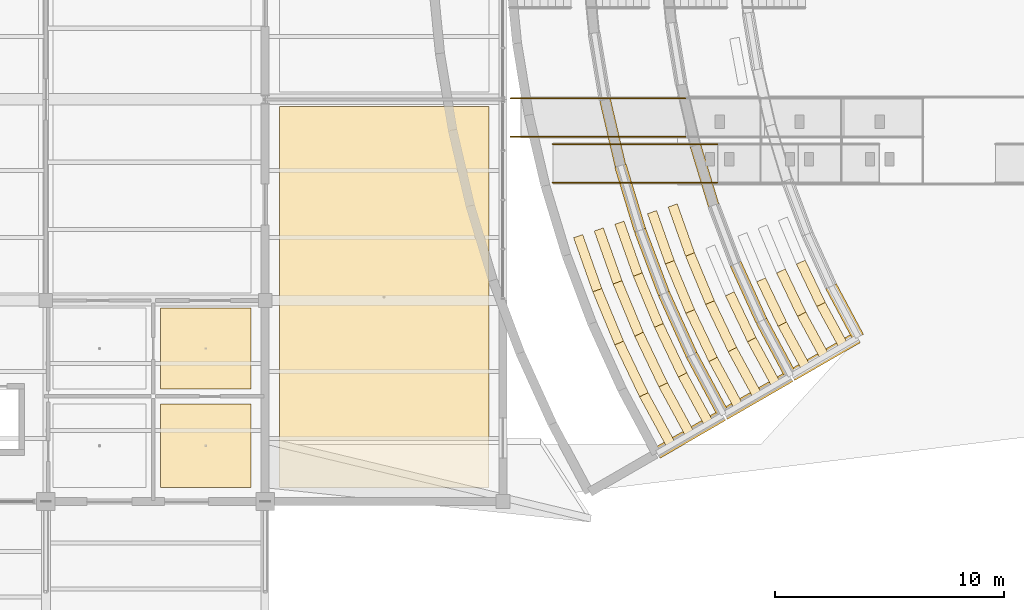
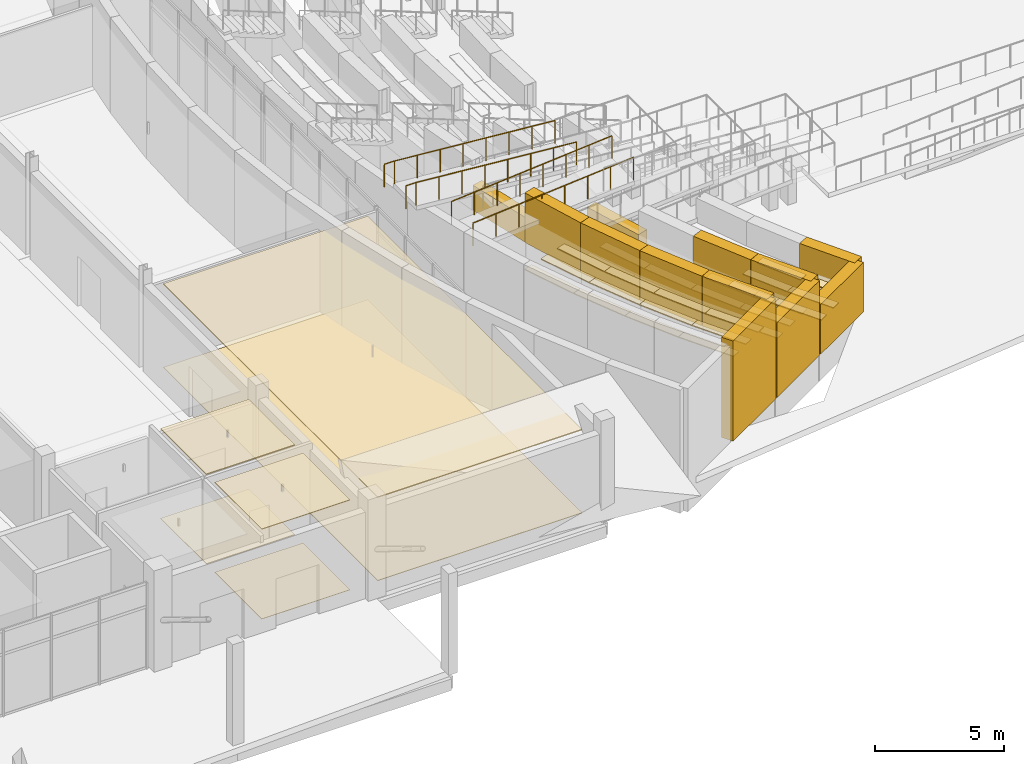
# One storey, part 110 of 116: 46 coverings, 4 railings, 1 element without a shape of its own.
"""IFC4 building model written with IfcOpenShell, lengths in metres."""

from ifc_helpers import new_model, si_unit, direction, frame, origin, origin_2d, place, context, subcontext, project, spatial, polyline, circle, outline, extrude, material, layer, layer_set, type_object, element, aggregate, save


model = new_model("IFC4")

# Units and contexts
model_context = context("Model", 3, precision=1e-05, world=origin(), true_north=direction((0.0, 1.0)))
body_context = subcontext(model_context, "Body", "Model", "MODEL_VIEW")
ifc_project = project(units=[si_unit("LENGTHUNIT", "METRE"), si_unit("AREAUNIT", "SQUARE_METRE"), si_unit("VOLUMEUNIT", "CUBIC_METRE"), si_unit("PLANEANGLEUNIT", "RADIAN"), si_unit("MASSUNIT", "GRAM", prefix="KILO")], contexts=[model_context])

# Site, building, storey
site_placement = place(None, origin())
site = spatial("IfcSite", under=ifc_project, at=site_placement, CompositionType="ELEMENT")
building_placement = place(site_placement, origin())
building = spatial("IfcBuilding", under=site, at=building_placement, Name="Chalmorin Arch Market", CompositionType="ELEMENT")
storey_placement = place(building_placement, origin())
storey = spatial("IfcBuildingStorey", under=building, at=storey_placement, Name="L00", CompositionType="ELEMENT", Elevation=0.0)

# Coverings
ifc_material_1 = material(Name="Mineral Fibre Acoustic Tile")
ifc_layer_1 = layer(ifc_material_1, 0.044921875)
ifc_layer_set_1 = layer_set([ifc_layer_1], Name="Mineral Fibre Acoustic Tile")
covering_type_1 = type_object("IfcCoveringType", Name="AcousticBaffleCeiling-45", PredefinedType="CEILING", material=ifc_layer_set_1)
covering_1_placement = place(storey_placement, frame((0.0, 0.0, 4.235107421875)))
element("IfcCovering", 1, at=covering_1_placement, inside=storey, type_object=covering_type_1, Name="CLG-01-083", PredefinedType="CEILING", context=body_context, shape_type="SweptSolid", body=[
    extrude(outline(polyline([(120.219970703125, 10.919921875), (124.179931640625, 10.919921875), (124.179931640625, 14.47998046875), (120.219970703125, 14.47998046875), (120.219970703125, 10.919921875)])), origin(), (0.0, 0.0, 1.0), 0.044921875),
])
covering_2_placement = place(storey_placement, frame((0.0, 0.0, 3.93505859375)))
element("IfcCovering", 2, at=covering_2_placement, inside=storey, type_object=covering_type_1, Name="CLG-01-085", PredefinedType="CEILING", context=body_context, shape_type="SweptSolid", body=[
    extrude(outline(polyline([(125.419921875, 6.6201171875), (134.580078125, 6.6201171875), (134.580078125, 23.280029296875), (125.419921875, 23.280029296875), (125.419921875, 6.6201171875)])), origin(), (0.0, 0.0, 1.0), 0.044921875),
])
ifc_material_2 = material(Name="Gypsum Board Partition")
ifc_layer_2 = layer(ifc_material_2, 0.030029296875)
ifc_layer_set_2 = layer_set([ifc_layer_2], Name="Gypsum Board Partition")
covering_type_2 = type_object("IfcCoveringType", Name="MoistureResistantGypsumCeiling-30", PredefinedType="CEILING", material=ifc_layer_set_2)
covering_3_placement = place(storey_placement, frame((0.0, 0.0, 4.25)))
element("IfcCovering", 3, at=covering_3_placement, inside=storey, type_object=covering_type_2, Name="CLG-03-079", PredefinedType="CEILING", context=body_context, shape_type="SweptSolid", body=[
    extrude(outline(polyline([(120.219970703125, 6.6201171875), (124.179931640625, 6.6201171875), (124.179931640625, 10.280029296875), (120.219970703125, 10.280029296875), (120.219970703125, 6.6201171875)])), origin(), (0.0, 0.0, 1.0), 0.030029296875),
])
ifc_material_3 = material(Name="Ceramic Porcelain Tile")
ifc_layer_3 = layer(ifc_material_3, 0.01806640625)
ifc_layer_set_3 = layer_set([ifc_layer_3], Name="Ceramic Porcelain Tile")
covering_type_3 = type_object("IfcCoveringType", Name="PorcelainRestroomTileFloor-18", PredefinedType="FLOORING", material=ifc_layer_set_3)
covering_4_placement = place(storey_placement, origin())
element("IfcCovering", 4, at=covering_4_placement, inside=storey, type_object=covering_type_3, Name="FLR-03-078", PredefinedType="FLOORING", context=body_context, shape_type="SweptSolid", body=[
    extrude(outline(polyline([(120.219970703125, 6.6201171875), (124.179931640625, 6.6201171875), (124.179931640625, 10.280029296875), (120.219970703125, 10.280029296875), (120.219970703125, 6.6201171875)])), origin(), (0.0, 0.0, 1.0), 0.01806640625),
])

# Ramp, railings
ifc_material_4 = material(Name="Concrete C40/50", Category="concrete")
ramp_type = type_object("IfcRampType", Name="AmphitheatreAccessibleRamp-1800", PredefinedType="HALF_TURN_RAMP", material=ifc_material_4)
ramp_placement = place(storey_placement, origin())
ramp = element("IfcRamp", 5, at=ramp_placement, inside=storey, type_object=ramp_type, material=ifc_material_4, Name="RMP-07", PredefinedType="HALF_TURN_RAMP")
ifc_material_5 = material(Name="Galvanised Steel", Category="steel")
ifc_layer_4 = layer(ifc_material_5, 0.054931640625)
ifc_layer_set_4 = layer_set([ifc_layer_4], Name="Galvanised Steel")
railing_type = type_object("IfcRailingType", Name="StairWellGuardrail-1100", PredefinedType="GUARDRAIL", material=ifc_layer_set_4)
railing_1_placement = place(storey_placement, frame((137.385009765625, 19.9599609375, 3.60009765625)))
railing_1 = element("IfcRailing", 6, at=railing_1_placement, type_object=railing_type, Name="SG-01-178", PredefinedType="GUARDRAIL", context=body_context, shape_type="SweptSolid", body=[
    extrude(circle(Radius=0.02392578125, at=origin_2d()), frame((0.0, 0.0, 1.076171875), z_axis=(0.99654738937, 0.0, 0.083025904028), x_axis=(0.0, 1.0, 0.0)), (0.0, 0.0, 1.0), 7.224853515625),
    extrude(circle(Radius=0.02099609375, at=origin_2d()), origin(), (0.0, 0.0, 1.0), 1.052001953125),
    extrude(circle(Radius=0.02099609375, at=origin_2d()), frame((1.028564453125, 0.0, 0.085693359375)), (0.0, 0.0, 1.0), 1.052001953125),
    extrude(circle(Radius=0.02099609375, at=origin_2d()), frame((2.05712890625, 0.0, 0.17138671875)), (0.0, 0.0, 1.0), 1.052001953125),
    extrude(circle(Radius=0.02099609375, at=origin_2d()), frame((3.085693359375, 0.0, 0.257080078125)), (0.0, 0.0, 1.0), 1.052001953125),
    extrude(circle(Radius=0.02099609375, at=origin_2d()), frame((4.1142578125, 0.0, 0.3427734375)), (0.0, 0.0, 1.0), 1.052001953125),
    extrude(circle(Radius=0.02099609375, at=origin_2d()), frame((5.142822265625, 0.0, 0.428466796875)), (0.0, 0.0, 1.0), 1.052001953125),
    extrude(circle(Radius=0.02099609375, at=origin_2d()), frame((6.17138671875, 0.0, 0.51416015625)), (0.0, 0.0, 1.0), 1.052001953125),
    extrude(circle(Radius=0.02099609375, at=origin_2d()), frame((7.199951171875, 0.0, 0.599853515625)), (0.0, 0.0, 1.0), 1.052001953125),
])
railing_2_placement = place(storey_placement, frame((143.18505859375, 21.9599609375, 4.199951171875)))
railing_2 = element("IfcRailing", 7, at=railing_2_placement, type_object=railing_type, Name="SG-01-179", PredefinedType="GUARDRAIL", context=body_context, shape_type="SweptSolid", body=[
    extrude(circle(Radius=0.02392578125, at=origin_2d()), frame((0.0, 0.0, 1.076171875), z_axis=(-0.996544592923, 0.0, 0.083059462528), x_axis=(0.0, -1.0, 0.0)), (0.0, 0.0, 1.0), 7.224853515625),
    extrude(circle(Radius=0.02392578125, at=origin_2d()), frame((-7.199951171875, 0.0, 1.67626953125), z_axis=(-1.0, 0.0, 0.0), x_axis=(0.0, -1.0, 0.0)), (0.0, 0.0, 1.0), 0.4501953125),
    extrude(circle(Radius=0.02099609375, at=origin_2d()), origin(), (0.0, 0.0, 1.0), 1.052001953125),
    extrude(circle(Radius=0.02099609375, at=origin_2d()), frame((-1.028564453125, 0.0, 0.085693359375)), (0.0, 0.0, 1.0), 1.052001953125),
    extrude(circle(Radius=0.02099609375, at=origin_2d()), frame((-2.05712890625, 0.0, 0.17138671875)), (0.0, 0.0, 1.0), 1.052001953125),
    extrude(circle(Radius=0.02099609375, at=origin_2d()), frame((-3.085693359375, 0.0, 0.257080078125)), (0.0, 0.0, 1.0), 1.052001953125),
    extrude(circle(Radius=0.02099609375, at=origin_2d()), frame((-4.1142578125, 0.0, 0.343017578125)), (0.0, 0.0, 1.0), 1.052001953125),
    extrude(circle(Radius=0.02099609375, at=origin_2d()), frame((-5.142822265625, 0.0, 0.4287109375)), (0.0, 0.0, 1.0), 1.052001953125),
    extrude(circle(Radius=0.02099609375, at=origin_2d()), frame((-6.17138671875, 0.0, 0.514404296875)), (0.0, 0.0, 1.0), 1.052001953125),
    extrude(circle(Radius=0.02099609375, at=origin_2d()), frame((-7.199951171875, 0.0, 0.60009765625)), (0.0, 0.0, 1.0), 1.052001953125),
    extrude(circle(Radius=0.02099609375, at=origin_2d()), frame((-7.650146484375, 0.0, 0.60009765625)), (0.0, 0.0, 1.0), 1.052001953125),
])
railing_3_placement = place(storey_placement, frame((137.385009765625, 21.639892578125, 3.60009765625)))
railing_3 = element("IfcRailing", 8, at=railing_3_placement, type_object=railing_type, Name="SG-01-180", PredefinedType="GUARDRAIL", context=body_context, shape_type="SweptSolid", body=[
    extrude(circle(Radius=0.02392578125, at=origin_2d()), frame((0.0, 0.0, 1.076171875), z_axis=(0.99654738937, 0.0, 0.083025904028), x_axis=(0.0, 1.0, 0.0)), (0.0, 0.0, 1.0), 7.224853515625),
    extrude(circle(Radius=0.02099609375, at=origin_2d()), origin(), (0.0, 0.0, 1.0), 1.052001953125),
    extrude(circle(Radius=0.02099609375, at=origin_2d()), frame((1.028564453125, 0.0, 0.085693359375)), (0.0, 0.0, 1.0), 1.052001953125),
    extrude(circle(Radius=0.02099609375, at=origin_2d()), frame((2.05712890625, 0.0, 0.17138671875)), (0.0, 0.0, 1.0), 1.052001953125),
    extrude(circle(Radius=0.02099609375, at=origin_2d()), frame((3.085693359375, 0.0, 0.257080078125)), (0.0, 0.0, 1.0), 1.052001953125),
    extrude(circle(Radius=0.02099609375, at=origin_2d()), frame((4.1142578125, 0.0, 0.3427734375)), (0.0, 0.0, 1.0), 1.052001953125),
    extrude(circle(Radius=0.02099609375, at=origin_2d()), frame((5.142822265625, 0.0, 0.428466796875)), (0.0, 0.0, 1.0), 1.052001953125),
    extrude(circle(Radius=0.02099609375, at=origin_2d()), frame((6.17138671875, 0.0, 0.51416015625)), (0.0, 0.0, 1.0), 1.052001953125),
    extrude(circle(Radius=0.02099609375, at=origin_2d()), frame((7.199951171875, 0.0, 0.599853515625)), (0.0, 0.0, 1.0), 1.052001953125),
])
railing_4_placement = place(storey_placement, frame((143.18505859375, 23.639892578125, 4.199951171875)))
railing_4 = element("IfcRailing", 9, at=railing_4_placement, type_object=railing_type, Name="SG-01-181", PredefinedType="GUARDRAIL", context=body_context, shape_type="SweptSolid", body=[
    extrude(circle(Radius=0.02392578125, at=origin_2d()), frame((0.0, 0.0, 1.076171875), z_axis=(-0.996544592923, 0.0, 0.083059462528), x_axis=(0.0, -1.0, 0.0)), (0.0, 0.0, 1.0), 7.224853515625),
    extrude(circle(Radius=0.02392578125, at=origin_2d()), frame((-7.199951171875, 0.0, 1.67626953125), z_axis=(-1.0, 0.0, 0.0), x_axis=(0.0, -1.0, 0.0)), (0.0, 0.0, 1.0), 0.4501953125),
    extrude(circle(Radius=0.02099609375, at=origin_2d()), origin(), (0.0, 0.0, 1.0), 1.052001953125),
    extrude(circle(Radius=0.02099609375, at=origin_2d()), frame((-1.028564453125, 0.0, 0.085693359375)), (0.0, 0.0, 1.0), 1.052001953125),
    extrude(circle(Radius=0.02099609375, at=origin_2d()), frame((-2.05712890625, 0.0, 0.17138671875)), (0.0, 0.0, 1.0), 1.052001953125),
    extrude(circle(Radius=0.02099609375, at=origin_2d()), frame((-3.085693359375, 0.0, 0.257080078125)), (0.0, 0.0, 1.0), 1.052001953125),
    extrude(circle(Radius=0.02099609375, at=origin_2d()), frame((-4.1142578125, 0.0, 0.343017578125)), (0.0, 0.0, 1.0), 1.052001953125),
    extrude(circle(Radius=0.02099609375, at=origin_2d()), frame((-5.142822265625, 0.0, 0.4287109375)), (0.0, 0.0, 1.0), 1.052001953125),
    extrude(circle(Radius=0.02099609375, at=origin_2d()), frame((-6.17138671875, 0.0, 0.514404296875)), (0.0, 0.0, 1.0), 1.052001953125),
    extrude(circle(Radius=0.02099609375, at=origin_2d()), frame((-7.199951171875, 0.0, 0.60009765625)), (0.0, 0.0, 1.0), 1.052001953125),
    extrude(circle(Radius=0.02099609375, at=origin_2d()), frame((-7.650146484375, 0.0, 0.60009765625)), (0.0, 0.0, 1.0), 1.052001953125),
])
aggregate(ramp, [railing_1, railing_2, railing_3, railing_4])

# Coverings
ifc_material_6 = material(Name="Polished Terrazzo")
ifc_layer_5 = layer(ifc_material_6, 0.02490234375)
ifc_layer_set_5 = layer_set([ifc_layer_5], Name="Polished Terrazzo")
covering_type_4 = type_object("IfcCoveringType", Name="TerrazzoMarketFloorFinish-25", PredefinedType="FLOORING", material=ifc_layer_set_5)
covering_5_placement = place(storey_placement, origin())
element("IfcCovering", 10, at=covering_5_placement, inside=storey, type_object=covering_type_4, Name="FLR-01-082", PredefinedType="FLOORING", context=body_context, shape_type="SweptSolid", body=[
    extrude(outline(polyline([(120.219970703125, 10.919921875), (124.179931640625, 10.919921875), (124.179931640625, 14.47998046875), (120.219970703125, 14.47998046875), (120.219970703125, 10.919921875)])), origin(), (0.0, 0.0, 1.0), 0.02490234375),
])
covering_6_placement = place(storey_placement, origin())
element("IfcCovering", 11, at=covering_6_placement, inside=storey, type_object=covering_type_4, Name="FLR-01-084", PredefinedType="FLOORING", context=body_context, shape_type="SweptSolid", body=[
    extrude(outline(polyline([(125.419921875, 6.6201171875), (134.580078125, 6.6201171875), (134.580078125, 23.280029296875), (125.419921875, 23.280029296875), (125.419921875, 6.6201171875)])), origin(), (0.0, 0.0, 1.0), 0.02490234375),
])
ifc_material_7 = material(Name="Planted Green Roof Turf")
ifc_layer_6 = layer(ifc_material_7, 0.044921875)
ifc_layer_set_6 = layer_set([ifc_layer_6], Name="Planted Green Roof Turf")
covering_type_5 = type_object("IfcCoveringType", Name="VegetatedMoundTurfStrip-45", PredefinedType="ROOFING", material=ifc_layer_set_6)
covering_7_placement = place(storey_placement, frame((0.0, 0.0, 1.199951171875)))
element("IfcCovering", 12, at=covering_7_placement, inside=storey, type_object=covering_type_5, Name="VMT-45-042", PredefinedType="ROOFING", context=body_context, shape_type="SweptSolid", body=[
    extrude(outline(polyline([(148.04541015625, 16.385498046875), (148.927490234375, 14.53564453125), (149.306640625, 14.71630859375), (148.424560546875, 16.56640625), (148.04541015625, 16.385498046875)])), origin(), (0.0, 0.0, 1.0), 0.045166015625),
])
covering_8_placement = place(storey_placement, frame((0.0, 0.0, 1.199951171875)))
element("IfcCovering", 13, at=covering_8_placement, inside=storey, type_object=covering_type_5, Name="VMT-45-043", PredefinedType="ROOFING", context=body_context, shape_type="SweptSolid", body=[
    extrude(outline(polyline([(148.9326171875, 14.52587890625), (149.910400390625, 12.724853515625), (150.279541015625, 12.92529296875), (149.301513671875, 14.726318359375), (148.9326171875, 14.52587890625)])), origin(), (0.0, 0.0, 1.0), 0.045166015625),
])
covering_9_placement = place(storey_placement, frame((0.0, 0.0, 1.199951171875)))
element("IfcCovering", 14, at=covering_9_placement, inside=storey, type_object=covering_type_5, Name="VMT-45-050", PredefinedType="ROOFING", context=body_context, shape_type="SweptSolid", body=[
    extrude(outline(polyline([(147.177490234375, 15.99951171875), (148.08154296875, 14.1044921875), (148.46044921875, 14.285400390625), (147.556396484375, 16.180419921875), (147.177490234375, 15.99951171875)])), origin(), (0.0, 0.0, 1.0), 0.045166015625),
])
covering_10_placement = place(storey_placement, frame((0.0, 0.0, 1.199951171875)))
element("IfcCovering", 15, at=covering_10_placement, inside=storey, type_object=covering_type_5, Name="VMT-45-051", PredefinedType="ROOFING", context=body_context, shape_type="SweptSolid", body=[
    extrude(outline(polyline([(148.08642578125, 14.094970703125), (149.08740234375, 12.25), (149.45654296875, 12.4501953125), (148.45556640625, 14.295166015625), (148.08642578125, 14.094970703125)])), origin(), (0.0, 0.0, 1.0), 0.045166015625),
])
covering_11_placement = place(storey_placement, frame((0.0, 0.0, 1.199951171875)))
element("IfcCovering", 16, at=covering_11_placement, inside=storey, type_object=covering_type_5, Name="VMT-45-058", PredefinedType="ROOFING", context=body_context, shape_type="SweptSolid", body=[
    extrude(outline(polyline([(146.3095703125, 15.612548828125), (147.234619140625, 13.673583984375), (147.613525390625, 13.8544921875), (146.6884765625, 15.79345703125), (146.3095703125, 15.612548828125)])), origin(), (0.0, 0.0, 1.0), 0.045166015625),
])
covering_12_placement = place(storey_placement, frame((0.0, 0.0, 1.199951171875)))
element("IfcCovering", 17, at=covering_12_placement, inside=storey, type_object=covering_type_5, Name="VMT-45-059", PredefinedType="ROOFING", context=body_context, shape_type="SweptSolid", body=[
    extrude(outline(polyline([(147.239501953125, 13.663818359375), (148.265380859375, 11.77490234375), (148.634521484375, 11.97509765625), (147.6083984375, 13.8642578125), (147.239501953125, 13.663818359375)])), origin(), (0.0, 0.0, 1.0), 0.045166015625),
])
covering_13_placement = place(storey_placement, frame((0.0, 0.0, 2.39990234375)))
element("IfcCovering", 18, at=covering_13_placement, inside=storey, type_object=covering_type_5, Name="VMT-45-066", PredefinedType="ROOFING", context=body_context, shape_type="SweptSolid", body=[
    extrude(outline(polyline([(144.939453125, 15.002685546875), (145.8984375, 12.99267578125), (146.277587890625, 13.17333984375), (145.318603515625, 15.183349609375), (144.939453125, 15.002685546875)])), origin(), (0.0, 0.0, 1.0), 0.045166015625),
])
covering_14_placement = place(storey_placement, frame((0.0, 0.0, 2.39990234375)))
element("IfcCovering", 19, at=covering_14_placement, inside=storey, type_object=covering_type_5, Name="VMT-45-067", PredefinedType="ROOFING", context=body_context, shape_type="SweptSolid", body=[
    extrude(outline(polyline([(145.9033203125, 12.98291015625), (146.96630859375, 11.02490234375), (147.335693359375, 11.22509765625), (146.272705078125, 13.18310546875), (145.9033203125, 12.98291015625)])), origin(), (0.0, 0.0, 1.0), 0.045166015625),
])
covering_15_placement = place(storey_placement, frame((0.0, 0.0, 2.39990234375)))
element("IfcCovering", 20, at=covering_15_placement, inside=storey, type_object=covering_type_5, Name="VMT-45-074", PredefinedType="ROOFING", context=body_context, shape_type="SweptSolid", body=[
    extrude(outline(polyline([(142.430908203125, 18.887939453125), (143.19091796875, 16.740966796875), (143.5869140625, 16.881103515625), (142.826904296875, 19.028076171875), (142.430908203125, 18.887939453125)])), origin(), (0.0, 0.0, 1.0), 0.045166015625),
])
covering_16_placement = place(storey_placement, frame((0.0, 0.0, 2.39990234375)))
element("IfcCovering", 21, at=covering_16_placement, inside=storey, type_object=covering_type_5, Name="VMT-45-075", PredefinedType="ROOFING", context=body_context, shape_type="SweptSolid", body=[
    extrude(outline(polyline([(143.195068359375, 16.730712890625), (144.06689453125, 14.626708984375), (144.455078125, 14.787353515625), (143.5830078125, 16.891357421875), (143.195068359375, 16.730712890625)])), origin(), (0.0, 0.0, 1.0), 0.045166015625),
])
covering_17_placement = place(storey_placement, frame((0.0, 0.0, 2.39990234375)))
element("IfcCovering", 22, at=covering_17_placement, inside=storey, type_object=covering_type_5, Name="VMT-45-076", PredefinedType="ROOFING", context=body_context, shape_type="SweptSolid", body=[
    extrude(outline(polyline([(144.0712890625, 14.61669921875), (145.051513671875, 12.560546875), (145.4306640625, 12.741455078125), (144.45068359375, 14.79736328125), (144.0712890625, 14.61669921875)])), origin(), (0.0, 0.0, 1.0), 0.045166015625),
])
covering_18_placement = place(storey_placement, frame((0.0, 0.0, 2.39990234375)))
element("IfcCovering", 23, at=covering_18_placement, inside=storey, type_object=covering_type_5, Name="VMT-45-077", PredefinedType="ROOFING", context=body_context, shape_type="SweptSolid", body=[
    extrude(outline(polyline([(145.056396484375, 12.55078125), (146.1435546875, 10.5498046875), (146.512451171875, 10.750244140625), (145.425537109375, 12.751220703125), (145.056396484375, 12.55078125)])), origin(), (0.0, 0.0, 1.0), 0.045166015625),
])
covering_19_placement = place(storey_placement, frame((0.0, 0.0, 2.39990234375)))
element("IfcCovering", 24, at=covering_19_placement, inside=storey, type_object=covering_type_5, Name="VMT-45-084", PredefinedType="ROOFING", context=body_context, shape_type="SweptSolid", body=[
    extrude(outline(polyline([(141.528076171875, 18.593994140625), (142.303955078125, 16.40087890625), (142.699951171875, 16.541015625), (141.924072265625, 18.734130859375), (141.528076171875, 18.593994140625)])), origin(), (0.0, 0.0, 1.0), 0.045166015625),
])
covering_20_placement = place(storey_placement, frame((0.0, 0.0, 2.39990234375)))
element("IfcCovering", 25, at=covering_20_placement, inside=storey, type_object=covering_type_5, Name="VMT-45-085", PredefinedType="ROOFING", context=body_context, shape_type="SweptSolid", body=[
    extrude(outline(polyline([(142.30810546875, 16.390625), (143.198974609375, 14.240478515625), (143.5869140625, 14.4013671875), (142.696044921875, 16.551513671875), (142.30810546875, 16.390625)])), origin(), (0.0, 0.0, 1.0), 0.045166015625),
])
covering_21_placement = place(storey_placement, frame((0.0, 0.0, 2.39990234375)))
element("IfcCovering", 26, at=covering_21_placement, inside=storey, type_object=covering_type_5, Name="VMT-45-086", PredefinedType="ROOFING", context=body_context, shape_type="SweptSolid", body=[
    extrude(outline(polyline([(143.20361328125, 14.230712890625), (144.20556640625, 12.129638671875), (144.58447265625, 12.310302734375), (143.58251953125, 14.411376953125), (143.20361328125, 14.230712890625)])), origin(), (0.0, 0.0, 1.0), 0.045166015625),
])
covering_22_placement = place(storey_placement, frame((0.0, 0.0, 2.39990234375)))
element("IfcCovering", 27, at=covering_22_placement, inside=storey, type_object=covering_type_5, Name="VMT-45-087", PredefinedType="ROOFING", context=body_context, shape_type="SweptSolid", body=[
    extrude(outline(polyline([(144.21044921875, 12.119873046875), (145.3203125, 10.07470703125), (145.689697265625, 10.275146484375), (144.57958984375, 12.3203125), (144.21044921875, 12.119873046875)])), origin(), (0.0, 0.0, 1.0), 0.045166015625),
])
covering_23_placement = place(storey_placement, frame((0.0, 0.0, 3.60009765625)))
element("IfcCovering", 28, at=covering_23_placement, inside=storey, type_object=covering_type_5, Name="VMT-45-094", PredefinedType="ROOFING", context=body_context, shape_type="SweptSolid", body=[
    extrude(outline(polyline([(140.10107421875, 18.130859375), (140.904052734375, 15.86279296875), (141.300048828125, 16.003173828125), (140.4970703125, 18.27099609375), (140.10107421875, 18.130859375)])), origin(), (0.0, 0.0, 1.0), 0.044921875),
])
covering_24_placement = place(storey_placement, frame((0.0, 0.0, 3.60009765625)))
element("IfcCovering", 29, at=covering_24_placement, inside=storey, type_object=covering_type_5, Name="VMT-45-095", PredefinedType="ROOFING", context=body_context, shape_type="SweptSolid", body=[
    extrude(outline(polyline([(140.907958984375, 15.8525390625), (141.8291015625, 13.629638671875), (142.217041015625, 13.790283203125), (141.2958984375, 16.013427734375), (140.907958984375, 15.8525390625)])), origin(), (0.0, 0.0, 1.0), 0.044921875),
])
covering_25_placement = place(storey_placement, frame((0.0, 0.0, 3.60009765625)))
element("IfcCovering", 30, at=covering_25_placement, inside=storey, type_object=covering_type_5, Name="VMT-45-096", PredefinedType="ROOFING", context=body_context, shape_type="SweptSolid", body=[
    extrude(outline(polyline([(141.83349609375, 13.61962890625), (142.868408203125, 11.448486328125), (143.24755859375, 11.62939453125), (142.212646484375, 13.80029296875), (141.83349609375, 13.61962890625)])), origin(), (0.0, 0.0, 1.0), 0.044921875),
])
covering_26_placement = place(storey_placement, frame((0.0, 0.0, 3.60009765625)))
element("IfcCovering", 31, at=covering_26_placement, inside=storey, type_object=covering_type_5, Name="VMT-45-097", PredefinedType="ROOFING", context=body_context, shape_type="SweptSolid", body=[
    extrude(outline(polyline([(142.87353515625, 11.438720703125), (144.021484375, 9.32470703125), (144.390380859375, 9.525146484375), (143.242431640625, 11.63916015625), (142.87353515625, 11.438720703125)])), origin(), (0.0, 0.0, 1.0), 0.044921875),
])
covering_27_placement = place(storey_placement, frame((0.0, 0.0, 3.60009765625)))
element("IfcCovering", 32, at=covering_27_placement, inside=storey, type_object=covering_type_5, Name="VMT-45-104", PredefinedType="ROOFING", context=body_context, shape_type="SweptSolid", body=[
    extrude(outline(polyline([(139.197021484375, 17.8369140625), (140.01708984375, 15.52294921875), (140.412841796875, 15.6630859375), (139.593017578125, 17.97705078125), (139.197021484375, 17.8369140625)])), origin(), (0.0, 0.0, 1.0), 0.044921875),
])
covering_28_placement = place(storey_placement, frame((0.0, 0.0, 3.60009765625)))
element("IfcCovering", 33, at=covering_28_placement, inside=storey, type_object=covering_type_5, Name="VMT-45-105", PredefinedType="ROOFING", context=body_context, shape_type="SweptSolid", body=[
    extrude(outline(polyline([(140.02099609375, 15.5126953125), (140.9609375, 13.24365234375), (141.34912109375, 13.404296875), (140.408935546875, 15.67333984375), (140.02099609375, 15.5126953125)])), origin(), (0.0, 0.0, 1.0), 0.044921875),
])
covering_29_placement = place(storey_placement, frame((0.0, 0.0, 3.60009765625)))
element("IfcCovering", 34, at=covering_29_placement, inside=storey, type_object=covering_type_5, Name="VMT-45-106", PredefinedType="ROOFING", context=body_context, shape_type="SweptSolid", body=[
    extrude(outline(polyline([(140.965576171875, 13.233642578125), (142.0224609375, 11.017578125), (142.401611328125, 11.198486328125), (141.344482421875, 13.414306640625), (140.965576171875, 13.233642578125)])), origin(), (0.0, 0.0, 1.0), 0.044921875),
])
covering_30_placement = place(storey_placement, frame((0.0, 0.0, 3.60009765625)))
element("IfcCovering", 35, at=covering_30_placement, inside=storey, type_object=covering_type_5, Name="VMT-45-107", PredefinedType="ROOFING", context=body_context, shape_type="SweptSolid", body=[
    extrude(outline(polyline([(142.02734375, 11.0078125), (143.198486328125, 8.849853515625), (143.567626953125, 9.05029296875), (142.396484375, 11.208251953125), (142.02734375, 11.0078125)])), origin(), (0.0, 0.0, 1.0), 0.044921875),
])
covering_31_placement = place(storey_placement, frame((0.0, 0.0, 3.60009765625)))
element("IfcCovering", 36, at=covering_31_placement, inside=storey, type_object=covering_type_5, Name="VMT-45-114", PredefinedType="ROOFING", context=body_context, shape_type="SweptSolid", body=[
    extrude(outline(polyline([(138.2939453125, 17.5439453125), (139.1298828125, 15.181884765625), (139.52587890625, 15.322021484375), (138.68994140625, 17.68408203125), (138.2939453125, 17.5439453125)])), origin(), (0.0, 0.0, 1.0), 0.044921875),
])
covering_32_placement = place(storey_placement, frame((0.0, 0.0, 3.60009765625)))
element("IfcCovering", 37, at=covering_32_placement, inside=storey, type_object=covering_type_5, Name="VMT-45-115", PredefinedType="ROOFING", context=body_context, shape_type="SweptSolid", body=[
    extrude(outline(polyline([(139.134033203125, 15.171630859375), (140.093017578125, 12.857666015625), (140.48095703125, 13.018310546875), (139.52197265625, 15.33251953125), (139.134033203125, 15.171630859375)])), origin(), (0.0, 0.0, 1.0), 0.044921875),
])
covering_33_placement = place(storey_placement, frame((0.0, 0.0, 3.60009765625)))
element("IfcCovering", 38, at=covering_33_placement, inside=storey, type_object=covering_type_5, Name="VMT-45-116", PredefinedType="ROOFING", context=body_context, shape_type="SweptSolid", body=[
    extrude(outline(polyline([(140.097412109375, 12.84765625), (141.17529296875, 10.586669921875), (141.5546875, 10.767333984375), (140.4765625, 13.0283203125), (140.097412109375, 12.84765625)])), origin(), (0.0, 0.0, 1.0), 0.044921875),
])
covering_34_placement = place(storey_placement, frame((0.0, 0.0, 3.60009765625)))
element("IfcCovering", 39, at=covering_34_placement, inside=storey, type_object=covering_type_5, Name="VMT-45-117", PredefinedType="ROOFING", context=body_context, shape_type="SweptSolid", body=[
    extrude(outline(polyline([(141.180419921875, 10.576904296875), (142.37646484375, 8.374755859375), (142.74560546875, 8.5751953125), (141.549560546875, 10.777099609375), (141.180419921875, 10.576904296875)])), origin(), (0.0, 0.0, 1.0), 0.044921875),
])
ifc_material_8 = material(Name="Precast concrete C40/50", Category="concrete")
ifc_layer_7 = layer(ifc_material_8, 0.054931640625)
ifc_layer_set_7 = layer_set([ifc_layer_7], Name="Precast concrete C40/50")
covering_type_6 = type_object("IfcCoveringType", Name="WhiteArchitecturalPrecastCladding-55", PredefinedType="CLADDING", material=ifc_layer_set_7)
covering_35_placement = place(storey_placement, frame((0.0, 0.0, 0.010009765625)))
element("IfcCovering", 40, at=covering_35_placement, inside=storey, type_object=covering_type_6, Name="WPC-55-016", PredefinedType="CLADDING", context=body_context, shape_type="SweptSolid", body=[
    extrude(outline(polyline([(149.330810546875, 15.29345703125), (150.515625, 13.077392578125), (150.974365234375, 13.322509765625), (149.789306640625, 15.53857421875), (149.330810546875, 15.29345703125)])), origin(), (0.0, 0.0, 1.0), 2.35009765625),
])
covering_36_placement = place(storey_placement, frame((0.0, 0.0, 1.2099609375)))
element("IfcCovering", 41, at=covering_36_placement, inside=storey, type_object=covering_type_6, Name="WPC-55-029", PredefinedType="CLADDING", context=body_context, shape_type="SweptSolid", body=[
    extrude(outline(polyline([(143.394287109375, 21.51123046875), (144.188232421875, 18.894287109375), (144.647705078125, 19.03369140625), (143.853759765625, 21.650634765625), (143.394287109375, 21.51123046875)])), origin(), (0.0, 0.0, 1.0), 1.179931640625),
])
covering_37_placement = place(storey_placement, frame((0.0, 0.0, 1.2099609375)))
element("IfcCovering", 42, at=covering_37_placement, inside=storey, type_object=covering_type_6, Name="WPC-55-031", PredefinedType="CLADDING", context=body_context, shape_type="SweptSolid", body=[
    extrude(outline(polyline([(145.145263671875, 16.296630859375), (146.274169921875, 13.8046875), (146.747802734375, 14.019287109375), (145.618896484375, 16.51123046875), (145.145263671875, 16.296630859375)])), origin(), (0.0, 0.0, 1.0), 2.35009765625),
])
covering_38_placement = place(storey_placement, frame((0.0, 0.0, 1.2099609375)))
element("IfcCovering", 43, at=covering_38_placement, inside=storey, type_object=covering_type_6, Name="WPC-55-032", PredefinedType="CLADDING", context=body_context, shape_type="SweptSolid", body=[
    extrude(outline(polyline([(146.28173828125, 13.78955078125), (147.57080078125, 11.37744140625), (148.029296875, 11.62255859375), (146.740234375, 14.034423828125), (146.28173828125, 13.78955078125)])), origin(), (0.0, 0.0, 1.0), 2.35009765625),
])
covering_39_placement = place(storey_placement, frame((0.0, 0.0, 2.409912109375)))
element("IfcCovering", 44, at=covering_39_placement, inside=storey, type_object=covering_type_6, Name="WPC-55-044", PredefinedType="CLADDING", context=body_context, shape_type="SweptSolid", body=[
    extrude(outline(polyline([(139.435302734375, 23.527587890625), (140.106201171875, 20.646484375), (140.57373046875, 20.75537109375), (139.902587890625, 23.636474609375), (139.435302734375, 23.527587890625)])), origin(), (0.0, 0.0, 1.0), 1.18017578125),
])
covering_40_placement = place(storey_placement, frame((0.0, 0.0, 2.409912109375)))
element("IfcCovering", 45, at=covering_40_placement, inside=storey, type_object=covering_type_6, Name="WPC-55-045", PredefinedType="CLADDING", context=body_context, shape_type="SweptSolid", body=[
    extrude(outline(polyline([(140.09130859375, 20.62548828125), (140.9501953125, 17.79541015625), (141.44775390625, 17.946533203125), (140.5888671875, 20.776611328125), (140.09130859375, 20.62548828125)])), origin(), (0.0, 0.0, 1.0), 2.35009765625),
])
covering_41_placement = place(storey_placement, frame((0.0, 0.0, 2.409912109375)))
element("IfcCovering", 46, at=covering_41_placement, inside=storey, type_object=covering_type_6, Name="WPC-55-046", PredefinedType="CLADDING", context=body_context, shape_type="SweptSolid", body=[
    extrude(outline(polyline([(140.955810546875, 17.779296875), (141.997802734375, 15.011474609375), (142.484375, 15.194580078125), (141.4423828125, 17.962646484375), (140.955810546875, 17.779296875)])), origin(), (0.0, 0.0, 1.0), 2.35009765625),
])
covering_42_placement = place(storey_placement, frame((0.0, 0.0, 2.409912109375)))
element("IfcCovering", 47, at=covering_42_placement, inside=storey, type_object=covering_type_6, Name="WPC-55-047", PredefinedType="CLADDING", context=body_context, shape_type="SweptSolid", body=[
    extrude(outline(polyline([(142.004150390625, 14.99560546875), (143.22412109375, 12.3017578125), (143.69775390625, 12.516357421875), (142.477783203125, 15.210205078125), (142.004150390625, 14.99560546875)])), origin(), (0.0, 0.0, 1.0), 2.35009765625),
])
covering_43_placement = place(storey_placement, frame((0.0, 0.0, 2.409912109375)))
element("IfcCovering", 48, at=covering_43_placement, inside=storey, type_object=covering_type_6, Name="WPC-55-048", PredefinedType="CLADDING", context=body_context, shape_type="SweptSolid", body=[
    extrude(outline(polyline([(143.231689453125, 12.286376953125), (144.626708984375, 9.677490234375), (145.085205078125, 9.922607421875), (143.690185546875, 12.531494140625), (143.231689453125, 12.286376953125)])), origin(), (0.0, 0.0, 1.0), 2.35009765625),
])
covering_44_placement = place(storey_placement, frame((0.0, 0.0, 0.010009765625)))
element("IfcCovering", 49, at=covering_44_placement, inside=storey, type_object=covering_type_6, Name="WPC-55-082", PredefinedType="CLADDING", context=body_context, shape_type="SweptSolid", body=[
    extrude(outline(polyline([(150.580078125, 13.4052734375), (147.705078125, 11.7451171875), (147.965087890625, 11.294921875), (150.840087890625, 12.954833984375), (150.580078125, 13.4052734375)])), origin(), (0.0, 0.0, 1.0), 2.35009765625),
])
covering_45_placement = place(storey_placement, frame((0.0, 0.0, 0.010009765625)))
element("IfcCovering", 50, at=covering_45_placement, inside=storey, type_object=covering_type_6, Name="WPC-55-084", PredefinedType="CLADDING", context=body_context, shape_type="SweptSolid", body=[
    extrude(outline(polyline([(147.635009765625, 11.705078125), (144.760009765625, 10.045166015625), (145.02001953125, 9.5947265625), (147.89501953125, 11.2548828125), (147.635009765625, 11.705078125)])), origin(), (0.0, 0.0, 1.0), 3.550048828125),
])
covering_46_placement = place(storey_placement, frame((0.0, 0.0, 0.010009765625)))
element("IfcCovering", 51, at=covering_46_placement, inside=storey, type_object=covering_type_6, Name="WPC-55-086", PredefinedType="CLADDING", context=body_context, shape_type="SweptSolid", body=[
    extrude(outline(polyline([(144.69091796875, 10.005126953125), (141.81591796875, 8.34521484375), (142.075927734375, 7.894775390625), (144.950927734375, 9.5546875), (144.69091796875, 10.005126953125)])), origin(), (0.0, 0.0, 1.0), 4.75),
])

save(model, "model.ifc")
